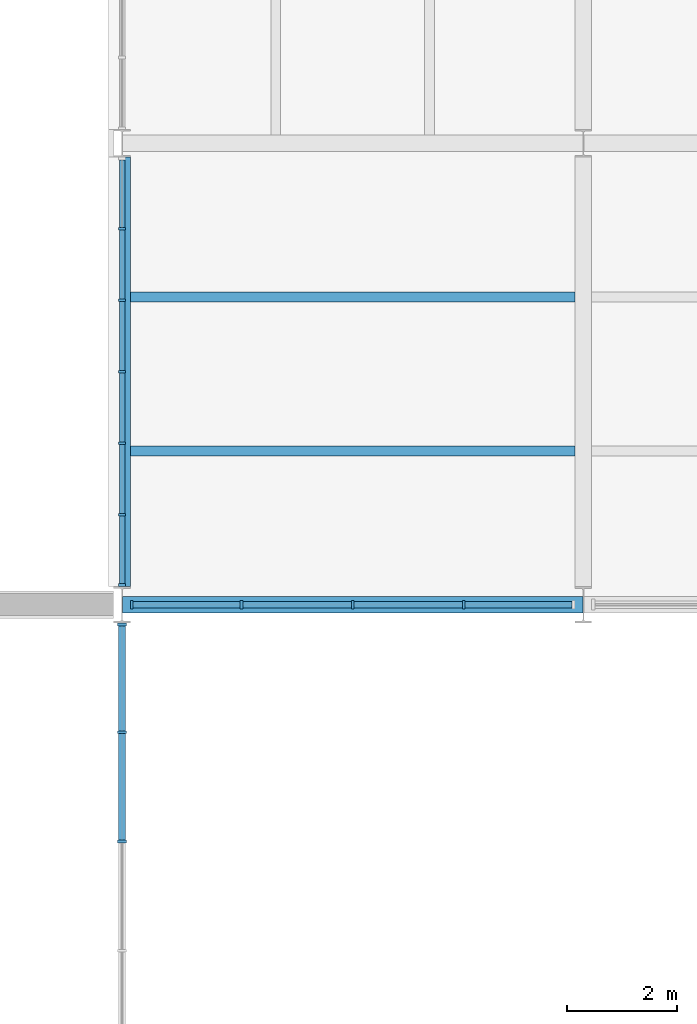
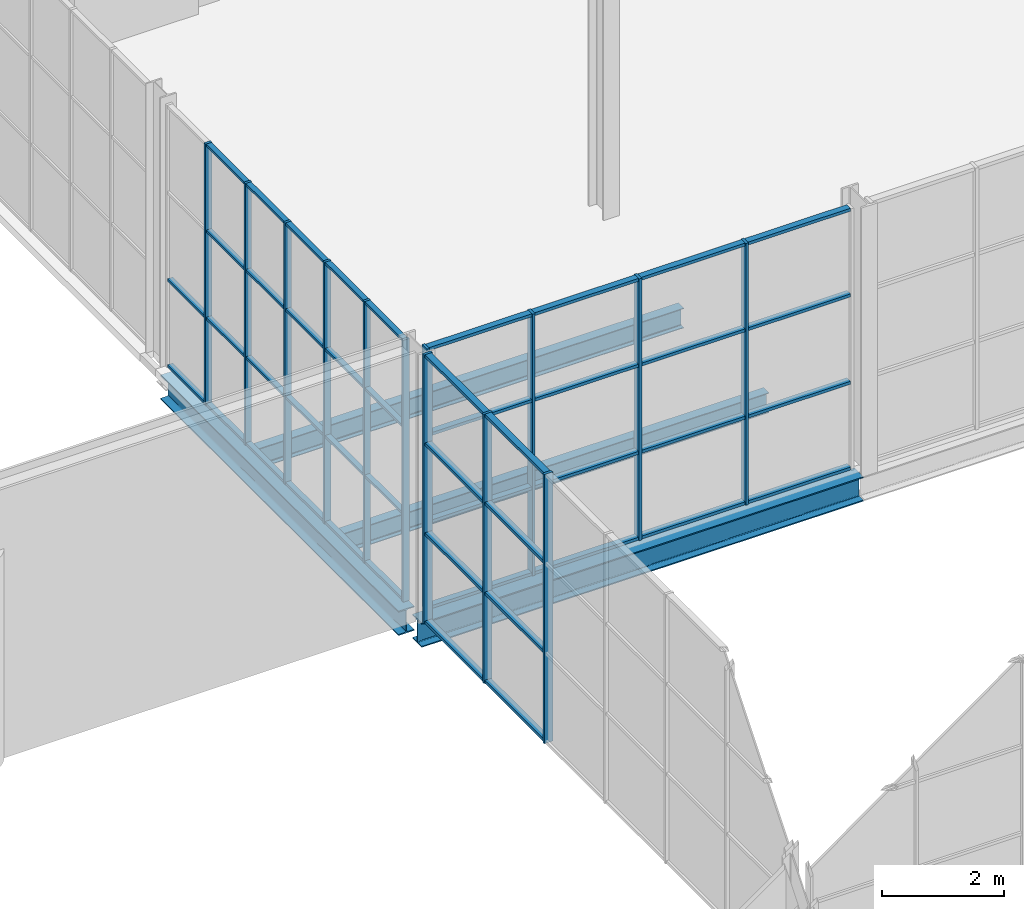
# One storey, part 17 of 64: 59 members, 4 beams, 3 elements without a shape of their own.
"""IFC4 building model written with IfcOpenShell, lengths in metres."""

from ifc_helpers import new_model, si_unit, direction, frame, origin, origin_2d, place, context, subcontext, project, spatial, rectangle, i_section, extrude, material, layer, layer_set, material_profile, profile_set, type_object, element, aggregate, save


model = new_model("IFC4")

# Units and contexts
model_context = context("Model", 3, precision=1e-05, world=origin(), true_north=direction((0.0, 1.0)))
body_context = subcontext(model_context, "Body", "Model", "MODEL_VIEW")
ifc_project = project(units=[si_unit("LENGTHUNIT", "METRE"), si_unit("AREAUNIT", "SQUARE_METRE"), si_unit("VOLUMEUNIT", "CUBIC_METRE"), si_unit("PLANEANGLEUNIT", "RADIAN"), si_unit("MASSUNIT", "GRAM", prefix="KILO")], contexts=[model_context])

# Site, building, storey
site_placement = place(None, origin())
site = spatial("IfcSite", under=ifc_project, at=site_placement, CompositionType="ELEMENT")
building_placement = place(site_placement, origin())
building = spatial("IfcBuilding", under=site, at=building_placement, Name="Galleria Vessillo Department Store", CompositionType="ELEMENT")
storey_placement = place(building_placement, frame((0.0, 0.0, 6.0)))
storey = spatial("IfcBuildingStorey", under=building, at=storey_placement, Name="L01", CompositionType="ELEMENT", Elevation=6.0)

# Curtain wall, members
ifc_material_1 = material(Name="Aluminium and glass curtain wall", Category="aluminium")
ifc_layer_1 = layer(ifc_material_1, 0.1201171875)
ifc_layer_set_1 = layer_set([ifc_layer_1], Name="Aluminium and glass curtain wall")
curtain_wall_type_1 = type_object("IfcCurtainWallType", Name="Shopfront curtain wall CW3 1400 module", PredefinedType="NOTDEFINED", material=ifc_layer_set_1)
curtain_wall_1_placement = place(storey_placement, origin())
curtain_wall_1 = element("IfcCurtainWall", 1, at=curtain_wall_1_placement, inside=storey, type_object=curtain_wall_type_1, Name="Shopfront curtain wall CW3 1400 module LB-N-L01-01", PredefinedType="NOTDEFINED")
ifc_material_2 = material(Name="Aluminium alloy 6063 T6", Category="aluminium")
ifc_material_profile_1 = material_profile(ifc_material_2, rectangle(XDim=0.1201171875, YDim=0.050048828125, at=origin_2d()), Name="AL 50x120")
ifc_profile_set_1 = profile_set([ifc_material_profile_1], Name="Aluminium alloy 6063 T6")
member_type_1 = type_object("IfcMemberType", Name="Aluminium mullion 50 x 120", PredefinedType="MULLION", material=ifc_profile_set_1)
member_1_placement = place(storey_placement, frame((8.39990234375, 38.158935546875, 0.0), z_axis=(0.0, 0.0, 1.0), x_axis=(-1.0, 0.0, 0.0)))
member_1 = element("IfcMember", 2, at=member_1_placement, type_object=member_type_1, Name="CW3 mullion 1", PredefinedType="MULLION", context=body_context, shape_type="SweptSolid", body=[
    extrude(rectangle(XDim=0.1201171875, YDim=0.050048828125, at=origin_2d()), origin(), (0.0, 0.0, 1.0), 5.25),
])
member_2_placement = place(storey_placement, frame((8.39990234375, 39.436767578125, 0.0), z_axis=(0.0, 0.0, 1.0), x_axis=(-1.0, 0.0, 0.0)))
member_2 = element("IfcMember", 3, at=member_2_placement, type_object=member_type_1, Name="CW3 mullion 2", PredefinedType="MULLION", context=body_context, shape_type="SweptSolid", body=[
    extrude(rectangle(XDim=0.1201171875, YDim=0.050048828125, at=origin_2d()), origin(), (0.0, 0.0, 1.0), 5.25),
])
member_3_placement = place(storey_placement, frame((8.39990234375, 40.7392578125, 0.0), z_axis=(0.0, 0.0, 1.0), x_axis=(-1.0, 0.0, 0.0)))
member_3 = element("IfcMember", 4, at=member_3_placement, type_object=member_type_1, Name="CW3 mullion 3", PredefinedType="MULLION", context=body_context, shape_type="SweptSolid", body=[
    extrude(rectangle(XDim=0.1201171875, YDim=0.050048828125, at=origin_2d()), origin(), (0.0, 0.0, 1.0), 5.25),
])
member_4_placement = place(storey_placement, frame((8.39990234375, 42.0419921875, 0.0), z_axis=(0.0, 0.0, 1.0), x_axis=(-1.0, 0.0, 0.0)))
member_4 = element("IfcMember", 5, at=member_4_placement, type_object=member_type_1, Name="CW3 mullion 4", PredefinedType="MULLION", context=body_context, shape_type="SweptSolid", body=[
    extrude(rectangle(XDim=0.1201171875, YDim=0.050048828125, at=origin_2d()), origin(), (0.0, 0.0, 1.0), 5.25),
])
member_5_placement = place(storey_placement, frame((8.39990234375, 43.3447265625, 0.0), z_axis=(0.0, 0.0, 1.0), x_axis=(-1.0, 0.0, 0.0)))
member_5 = element("IfcMember", 6, at=member_5_placement, type_object=member_type_1, Name="CW3 mullion 5", PredefinedType="MULLION", context=body_context, shape_type="SweptSolid", body=[
    extrude(rectangle(XDim=0.1201171875, YDim=0.050048828125, at=origin_2d()), origin(), (0.0, 0.0, 1.0), 5.25),
])
member_6_placement = place(storey_placement, frame((8.39990234375, 44.647216796875, 0.0), z_axis=(0.0, 0.0, 1.0), x_axis=(-1.0, 0.0, 0.0)))
member_6 = element("IfcMember", 7, at=member_6_placement, type_object=member_type_1, Name="CW3 mullion 6", PredefinedType="MULLION", context=body_context, shape_type="SweptSolid", body=[
    extrude(rectangle(XDim=0.1201171875, YDim=0.050048828125, at=origin_2d()), origin(), (0.0, 0.0, 1.0), 5.25),
])

ifc_material_3 = material(Name="Aluminium and glass curtain wall", Category="aluminium")
ifc_layer_2 = layer(ifc_material_3, 0.159912109375)
ifc_layer_set_2 = layer_set([ifc_layer_2], Name="Aluminium and glass curtain wall")
curtain_wall_type_2 = type_object("IfcCurtainWallType", Name="Arcade portal glazing CW2 2100 module", PredefinedType="NOTDEFINED", material=ifc_layer_set_2)
curtain_wall_2_placement = place(storey_placement, origin())
curtain_wall_2 = element("IfcCurtainWall", 8, at=curtain_wall_2_placement, inside=storey, type_object=curtain_wall_type_2, Name="Arcade portal glazing CW2 2100 module PW-W-N-L01-01", PredefinedType="NOTDEFINED")
ifc_material_4 = material(Name="Aluminium alloy 6063 T6", Category="aluminium")
ifc_material_profile_2 = material_profile(ifc_material_4, rectangle(XDim=0.159912109375, YDim=0.050048828125, at=origin_2d()), Name="AL 50x160")
ifc_profile_set_2 = profile_set([ifc_material_profile_2], Name="Aluminium alloy 6063 T6")
member_type_2 = type_object("IfcMemberType", Name="Aluminium mullion 50 x 160", PredefinedType="MULLION", material=ifc_profile_set_2)
member_7_placement = place(storey_placement, frame((8.577392578125, 37.800048828125, 0.0), z_axis=(0.0, 0.0, 1.0), x_axis=(0.0, 1.0, 0.0)))
member_7 = element("IfcMember", 9, at=member_7_placement, type_object=member_type_2, Name="CW2 mullion 1", PredefinedType="MULLION", context=body_context, shape_type="SweptSolid", body=[
    extrude(rectangle(XDim=0.159912109375, YDim=0.050048828125, at=origin_2d()), origin(), (0.0, 0.0, 1.0), 5.25),
])
member_8_placement = place(storey_placement, frame((10.576171875, 37.800048828125, 0.0), z_axis=(0.0, 0.0, 1.0), x_axis=(0.0, 1.0, 0.0)))
member_8 = element("IfcMember", 10, at=member_8_placement, type_object=member_type_2, Name="CW2 mullion 2", PredefinedType="MULLION", context=body_context, shape_type="SweptSolid", body=[
    extrude(rectangle(XDim=0.159912109375, YDim=0.050048828125, at=origin_2d()), origin(), (0.0, 0.0, 1.0), 5.25),
])
member_9_placement = place(storey_placement, frame((12.60009765625, 37.800048828125, 0.0), z_axis=(0.0, 0.0, 1.0), x_axis=(0.0, 1.0, 0.0)))
member_9 = element("IfcMember", 11, at=member_9_placement, type_object=member_type_2, Name="CW2 mullion 3", PredefinedType="MULLION", context=body_context, shape_type="SweptSolid", body=[
    extrude(rectangle(XDim=0.159912109375, YDim=0.050048828125, at=origin_2d()), origin(), (0.0, 0.0, 1.0), 5.25),
])
member_10_placement = place(storey_placement, frame((14.623779296875, 37.800048828125, 0.0), z_axis=(0.0, 0.0, 1.0), x_axis=(0.0, 1.0, 0.0)))
member_10 = element("IfcMember", 12, at=member_10_placement, type_object=member_type_2, Name="CW2 mullion 4", PredefinedType="MULLION", context=body_context, shape_type="SweptSolid", body=[
    extrude(rectangle(XDim=0.159912109375, YDim=0.050048828125, at=origin_2d()), origin(), (0.0, 0.0, 1.0), 5.25),
])

curtain_wall_3_placement = place(storey_placement, origin())
curtain_wall_3 = element("IfcCurtainWall", 13, at=curtain_wall_3_placement, inside=storey, type_object=curtain_wall_type_2, Name="Arcade portal glazing CW2 2100 module SCR-W-L01-01", PredefinedType="NOTDEFINED")
member_11_placement = place(storey_placement, frame((8.39990234375, 33.48876953125, 0.0), z_axis=(0.0, 0.0, 1.0), x_axis=(-1.0, 0.0, 0.0)))
member_11 = element("IfcMember", 14, at=member_11_placement, type_object=member_type_2, Name="CW2 mullion 5", PredefinedType="MULLION", context=body_context, shape_type="SweptSolid", body=[
    extrude(rectangle(XDim=0.159912109375, YDim=0.050048828125, at=origin_2d()), origin(), (0.0, 0.0, 1.0), 5.39990234375),
])
member_12_placement = place(storey_placement, frame((8.39990234375, 35.477294921875, 0.0), z_axis=(0.0, 0.0, 1.0), x_axis=(-1.0, 0.0, 0.0)))
member_12 = element("IfcMember", 15, at=member_12_placement, type_object=member_type_2, Name="CW2 mullion 6", PredefinedType="MULLION", context=body_context, shape_type="SweptSolid", body=[
    extrude(rectangle(XDim=0.159912109375, YDim=0.050048828125, at=origin_2d()), origin(), (0.0, 0.0, 1.0), 5.39990234375),
])
member_13_placement = place(storey_placement, frame((8.39990234375, 37.441162109375, 0.0), z_axis=(0.0, 0.0, 1.0), x_axis=(-1.0, 0.0, 0.0)))
member_13 = element("IfcMember", 16, at=member_13_placement, type_object=member_type_2, Name="CW2 mullion 7", PredefinedType="MULLION", context=body_context, shape_type="SweptSolid", body=[
    extrude(rectangle(XDim=0.159912109375, YDim=0.050048828125, at=origin_2d()), origin(), (0.0, 0.0, 1.0), 5.39990234375),
])

# Member
ifc_material_5 = material(Name="Aluminium alloy 6063 T6", Category="aluminium")
ifc_material_profile_3 = material_profile(ifc_material_5, rectangle(XDim=0.10009765625, YDim=0.050048828125, at=origin_2d()), Name="AL 50x100")
ifc_profile_set_3 = profile_set([ifc_material_profile_3], Name="Aluminium alloy 6063 T6")
member_type_3 = type_object("IfcMemberType", Name="Aluminium transom 50 x 100", PredefinedType="USERDEFINED", material=ifc_profile_set_3)
member_14_placement = place(storey_placement, frame((8.39990234375, 38.18408203125, 0.02490234375), z_axis=(0.0, 1.0, 0.0), x_axis=(-1.0, 0.0, 0.0)))
member_14 = element("IfcMember", 17, at=member_14_placement, type_object=member_type_3, Name="CW3 transom 1.1", ObjectType="TRANSOM", PredefinedType="USERDEFINED", context=body_context, shape_type="SweptSolid", body=[
    extrude(rectangle(XDim=0.10009765625, YDim=0.050048828125, at=origin_2d()), origin(), (0.0, 0.0, 1.0), 1.2275390625),
])

member_15_placement = place(storey_placement, frame((8.39990234375, 38.18408203125, 1.75), z_axis=(0.0, 1.0, 0.0), x_axis=(-1.0, 0.0, 0.0)))
member_15 = element("IfcMember", 18, at=member_15_placement, type_object=member_type_3, Name="CW3 transom 1.2", ObjectType="TRANSOM", PredefinedType="USERDEFINED", context=body_context, shape_type="SweptSolid", body=[
    extrude(rectangle(XDim=0.10009765625, YDim=0.050048828125, at=origin_2d()), origin(), (0.0, 0.0, 1.0), 1.2275390625),
])

member_16_placement = place(storey_placement, frame((8.39990234375, 38.18408203125, 3.5), z_axis=(0.0, 1.0, 0.0), x_axis=(-1.0, 0.0, 0.0)))
member_16 = element("IfcMember", 19, at=member_16_placement, type_object=member_type_3, Name="CW3 transom 1.3", ObjectType="TRANSOM", PredefinedType="USERDEFINED", context=body_context, shape_type="SweptSolid", body=[
    extrude(rectangle(XDim=0.10009765625, YDim=0.050048828125, at=origin_2d()), origin(), (0.0, 0.0, 1.0), 1.2275390625),
])

member_17_placement = place(storey_placement, frame((8.39990234375, 38.18408203125, 5.22509765625), z_axis=(0.0, 1.0, 0.0), x_axis=(-1.0, 0.0, 0.0)))
member_17 = element("IfcMember", 20, at=member_17_placement, type_object=member_type_3, Name="CW3 transom 1.4", ObjectType="TRANSOM", PredefinedType="USERDEFINED", context=body_context, shape_type="SweptSolid", body=[
    extrude(rectangle(XDim=0.10009765625, YDim=0.050048828125, at=origin_2d()), origin(), (0.0, 0.0, 1.0), 1.2275390625),
])

member_18_placement = place(storey_placement, frame((8.39990234375, 39.461669921875, 0.02490234375), z_axis=(0.0, 1.0, 0.0), x_axis=(-1.0, 0.0, 0.0)))
member_18 = element("IfcMember", 21, at=member_18_placement, type_object=member_type_3, Name="CW3 transom 2.1", ObjectType="TRANSOM", PredefinedType="USERDEFINED", context=body_context, shape_type="SweptSolid", body=[
    extrude(rectangle(XDim=0.10009765625, YDim=0.050048828125, at=origin_2d()), origin(), (0.0, 0.0, 1.0), 1.252685546875),
])

member_19_placement = place(storey_placement, frame((8.39990234375, 39.461669921875, 1.75), z_axis=(0.0, 1.0, 0.0), x_axis=(-1.0, 0.0, 0.0)))
member_19 = element("IfcMember", 22, at=member_19_placement, type_object=member_type_3, Name="CW3 transom 2.2", ObjectType="TRANSOM", PredefinedType="USERDEFINED", context=body_context, shape_type="SweptSolid", body=[
    extrude(rectangle(XDim=0.10009765625, YDim=0.050048828125, at=origin_2d()), origin(), (0.0, 0.0, 1.0), 1.252685546875),
])

member_20_placement = place(storey_placement, frame((8.39990234375, 39.461669921875, 3.5), z_axis=(0.0, 1.0, 0.0), x_axis=(-1.0, 0.0, 0.0)))
member_20 = element("IfcMember", 23, at=member_20_placement, type_object=member_type_3, Name="CW3 transom 2.3", ObjectType="TRANSOM", PredefinedType="USERDEFINED", context=body_context, shape_type="SweptSolid", body=[
    extrude(rectangle(XDim=0.10009765625, YDim=0.050048828125, at=origin_2d()), origin(), (0.0, 0.0, 1.0), 1.252685546875),
])

member_21_placement = place(storey_placement, frame((8.39990234375, 39.461669921875, 5.22509765625), z_axis=(0.0, 1.0, 0.0), x_axis=(-1.0, 0.0, 0.0)))
member_21 = element("IfcMember", 24, at=member_21_placement, type_object=member_type_3, Name="CW3 transom 2.4", ObjectType="TRANSOM", PredefinedType="USERDEFINED", context=body_context, shape_type="SweptSolid", body=[
    extrude(rectangle(XDim=0.10009765625, YDim=0.050048828125, at=origin_2d()), origin(), (0.0, 0.0, 1.0), 1.252685546875),
])

member_22_placement = place(storey_placement, frame((8.39990234375, 40.764404296875, 0.02490234375), z_axis=(0.0, 1.0, 0.0), x_axis=(-1.0, 0.0, 0.0)))
member_22 = element("IfcMember", 25, at=member_22_placement, type_object=member_type_3, Name="CW3 transom 3.1", ObjectType="TRANSOM", PredefinedType="USERDEFINED", context=body_context, shape_type="SweptSolid", body=[
    extrude(rectangle(XDim=0.10009765625, YDim=0.050048828125, at=origin_2d()), origin(), (0.0, 0.0, 1.0), 1.252685546875),
])

member_23_placement = place(storey_placement, frame((8.39990234375, 40.764404296875, 1.75), z_axis=(0.0, 1.0, 0.0), x_axis=(-1.0, 0.0, 0.0)))
member_23 = element("IfcMember", 26, at=member_23_placement, type_object=member_type_3, Name="CW3 transom 3.2", ObjectType="TRANSOM", PredefinedType="USERDEFINED", context=body_context, shape_type="SweptSolid", body=[
    extrude(rectangle(XDim=0.10009765625, YDim=0.050048828125, at=origin_2d()), origin(), (0.0, 0.0, 1.0), 1.252685546875),
])

member_24_placement = place(storey_placement, frame((8.39990234375, 40.764404296875, 3.5), z_axis=(0.0, 1.0, 0.0), x_axis=(-1.0, 0.0, 0.0)))
member_24 = element("IfcMember", 27, at=member_24_placement, type_object=member_type_3, Name="CW3 transom 3.3", ObjectType="TRANSOM", PredefinedType="USERDEFINED", context=body_context, shape_type="SweptSolid", body=[
    extrude(rectangle(XDim=0.10009765625, YDim=0.050048828125, at=origin_2d()), origin(), (0.0, 0.0, 1.0), 1.252685546875),
])

member_25_placement = place(storey_placement, frame((8.39990234375, 40.764404296875, 5.22509765625), z_axis=(0.0, 1.0, 0.0), x_axis=(-1.0, 0.0, 0.0)))
member_25 = element("IfcMember", 28, at=member_25_placement, type_object=member_type_3, Name="CW3 transom 3.4", ObjectType="TRANSOM", PredefinedType="USERDEFINED", context=body_context, shape_type="SweptSolid", body=[
    extrude(rectangle(XDim=0.10009765625, YDim=0.050048828125, at=origin_2d()), origin(), (0.0, 0.0, 1.0), 1.252685546875),
])

member_26_placement = place(storey_placement, frame((8.39990234375, 42.06689453125, 0.02490234375), z_axis=(0.0, 1.0, 0.0), x_axis=(-1.0, 0.0, 0.0)))
member_26 = element("IfcMember", 29, at=member_26_placement, type_object=member_type_3, Name="CW3 transom 4.1", ObjectType="TRANSOM", PredefinedType="USERDEFINED", context=body_context, shape_type="SweptSolid", body=[
    extrude(rectangle(XDim=0.10009765625, YDim=0.050048828125, at=origin_2d()), origin(), (0.0, 0.0, 1.0), 1.252685546875),
])

member_27_placement = place(storey_placement, frame((8.39990234375, 42.06689453125, 1.75), z_axis=(0.0, 1.0, 0.0), x_axis=(-1.0, 0.0, 0.0)))
member_27 = element("IfcMember", 30, at=member_27_placement, type_object=member_type_3, Name="CW3 transom 4.2", ObjectType="TRANSOM", PredefinedType="USERDEFINED", context=body_context, shape_type="SweptSolid", body=[
    extrude(rectangle(XDim=0.10009765625, YDim=0.050048828125, at=origin_2d()), origin(), (0.0, 0.0, 1.0), 1.252685546875),
])

member_28_placement = place(storey_placement, frame((8.39990234375, 42.06689453125, 3.5), z_axis=(0.0, 1.0, 0.0), x_axis=(-1.0, 0.0, 0.0)))
member_28 = element("IfcMember", 31, at=member_28_placement, type_object=member_type_3, Name="CW3 transom 4.3", ObjectType="TRANSOM", PredefinedType="USERDEFINED", context=body_context, shape_type="SweptSolid", body=[
    extrude(rectangle(XDim=0.10009765625, YDim=0.050048828125, at=origin_2d()), origin(), (0.0, 0.0, 1.0), 1.252685546875),
])

member_29_placement = place(storey_placement, frame((8.39990234375, 42.06689453125, 5.22509765625), z_axis=(0.0, 1.0, 0.0), x_axis=(-1.0, 0.0, 0.0)))
member_29 = element("IfcMember", 32, at=member_29_placement, type_object=member_type_3, Name="CW3 transom 4.4", ObjectType="TRANSOM", PredefinedType="USERDEFINED", context=body_context, shape_type="SweptSolid", body=[
    extrude(rectangle(XDim=0.10009765625, YDim=0.050048828125, at=origin_2d()), origin(), (0.0, 0.0, 1.0), 1.252685546875),
])

member_30_placement = place(storey_placement, frame((8.39990234375, 43.36962890625, 0.02490234375), z_axis=(0.0, 1.0, 0.0), x_axis=(-1.0, 0.0, 0.0)))
member_30 = element("IfcMember", 33, at=member_30_placement, type_object=member_type_3, Name="CW3 transom 5.1", ObjectType="TRANSOM", PredefinedType="USERDEFINED", context=body_context, shape_type="SweptSolid", body=[
    extrude(rectangle(XDim=0.10009765625, YDim=0.050048828125, at=origin_2d()), origin(), (0.0, 0.0, 1.0), 1.252685546875),
])

member_31_placement = place(storey_placement, frame((8.39990234375, 43.36962890625, 1.75), z_axis=(0.0, 1.0, 0.0), x_axis=(-1.0, 0.0, 0.0)))
member_31 = element("IfcMember", 34, at=member_31_placement, type_object=member_type_3, Name="CW3 transom 5.2", ObjectType="TRANSOM", PredefinedType="USERDEFINED", context=body_context, shape_type="SweptSolid", body=[
    extrude(rectangle(XDim=0.10009765625, YDim=0.050048828125, at=origin_2d()), origin(), (0.0, 0.0, 1.0), 1.252685546875),
])

member_32_placement = place(storey_placement, frame((8.39990234375, 43.36962890625, 3.5), z_axis=(0.0, 1.0, 0.0), x_axis=(-1.0, 0.0, 0.0)))
member_32 = element("IfcMember", 35, at=member_32_placement, type_object=member_type_3, Name="CW3 transom 5.3", ObjectType="TRANSOM", PredefinedType="USERDEFINED", context=body_context, shape_type="SweptSolid", body=[
    extrude(rectangle(XDim=0.10009765625, YDim=0.050048828125, at=origin_2d()), origin(), (0.0, 0.0, 1.0), 1.252685546875),
])

member_33_placement = place(storey_placement, frame((8.39990234375, 43.36962890625, 5.22509765625), z_axis=(0.0, 1.0, 0.0), x_axis=(-1.0, 0.0, 0.0)))
member_33 = element("IfcMember", 36, at=member_33_placement, type_object=member_type_3, Name="CW3 transom 5.4", ObjectType="TRANSOM", PredefinedType="USERDEFINED", context=body_context, shape_type="SweptSolid", body=[
    extrude(rectangle(XDim=0.10009765625, YDim=0.050048828125, at=origin_2d()), origin(), (0.0, 0.0, 1.0), 1.252685546875),
])

member_34_placement = place(storey_placement, frame((8.39990234375, 44.67236328125, 0.02490234375), z_axis=(0.0, 1.0, 0.0), x_axis=(-1.0, 0.0, 0.0)))
member_34 = element("IfcMember", 37, at=member_34_placement, type_object=member_type_3, Name="CW3 transom 6.1", ObjectType="TRANSOM", PredefinedType="USERDEFINED", context=body_context, shape_type="SweptSolid", body=[
    extrude(rectangle(XDim=0.10009765625, YDim=0.050048828125, at=origin_2d()), origin(), (0.0, 0.0, 1.0), 1.2275390625),
])

member_35_placement = place(storey_placement, frame((8.39990234375, 44.67236328125, 1.75), z_axis=(0.0, 1.0, 0.0), x_axis=(-1.0, 0.0, 0.0)))
member_35 = element("IfcMember", 38, at=member_35_placement, type_object=member_type_3, Name="CW3 transom 6.2", ObjectType="TRANSOM", PredefinedType="USERDEFINED", context=body_context, shape_type="SweptSolid", body=[
    extrude(rectangle(XDim=0.10009765625, YDim=0.050048828125, at=origin_2d()), origin(), (0.0, 0.0, 1.0), 1.2275390625),
])

aggregate(curtain_wall_1, [member_1, member_2, member_3, member_4, member_5, member_6, member_14, member_15, member_16, member_17, member_18, member_19, member_20, member_21, member_22, member_23, member_24, member_25, member_26, member_27, member_28, member_29, member_30, member_31, member_32, member_33, member_34, member_35])

ifc_material_6 = material(Name="Aluminium alloy 6063 T6", Category="aluminium")
ifc_material_profile_4 = material_profile(ifc_material_6, rectangle(XDim=0.1201171875, YDim=0.06005859375, at=origin_2d()), Name="AL 60x120")
ifc_profile_set_4 = profile_set([ifc_material_profile_4], Name="Aluminium alloy 6063 T6")
member_type_4 = type_object("IfcMemberType", Name="Aluminium transom 60 x 120", PredefinedType="USERDEFINED", material=ifc_profile_set_4)
member_36_placement = place(storey_placement, frame((8.6025390625, 37.800048828125, 0.030029296875), z_axis=(1.0, 0.0, 0.0), x_axis=(0.0, 1.0, 0.0)))
member_36 = element("IfcMember", 39, at=member_36_placement, type_object=member_type_4, Name="CW2 transom 1.1", ObjectType="TRANSOM", PredefinedType="USERDEFINED", context=body_context, shape_type="SweptSolid", body=[
    extrude(rectangle(XDim=0.1201171875, YDim=0.06005859375, at=origin_2d()), origin(), (0.0, 0.0, 1.0), 1.94873046875),
])

member_37_placement = place(storey_placement, frame((8.6025390625, 37.800048828125, 1.75), z_axis=(1.0, 0.0, 0.0), x_axis=(0.0, 1.0, 0.0)))
member_37 = element("IfcMember", 40, at=member_37_placement, type_object=member_type_4, Name="CW2 transom 1.2", ObjectType="TRANSOM", PredefinedType="USERDEFINED", context=body_context, shape_type="SweptSolid", body=[
    extrude(rectangle(XDim=0.1201171875, YDim=0.06005859375, at=origin_2d()), origin(), (0.0, 0.0, 1.0), 1.94873046875),
])

member_38_placement = place(storey_placement, frame((8.6025390625, 37.800048828125, 3.5), z_axis=(1.0, 0.0, 0.0), x_axis=(0.0, 1.0, 0.0)))
member_38 = element("IfcMember", 41, at=member_38_placement, type_object=member_type_4, Name="CW2 transom 1.3", ObjectType="TRANSOM", PredefinedType="USERDEFINED", context=body_context, shape_type="SweptSolid", body=[
    extrude(rectangle(XDim=0.1201171875, YDim=0.06005859375, at=origin_2d()), origin(), (0.0, 0.0, 1.0), 1.94873046875),
])

member_39_placement = place(storey_placement, frame((8.6025390625, 37.800048828125, 5.219970703125), z_axis=(1.0, 0.0, 0.0), x_axis=(0.0, 1.0, 0.0)))
member_39 = element("IfcMember", 42, at=member_39_placement, type_object=member_type_4, Name="CW2 transom 1.4", ObjectType="TRANSOM", PredefinedType="USERDEFINED", context=body_context, shape_type="SweptSolid", body=[
    extrude(rectangle(XDim=0.1201171875, YDim=0.06005859375, at=origin_2d()), origin(), (0.0, 0.0, 1.0), 1.94873046875),
])

member_40_placement = place(storey_placement, frame((10.601318359375, 37.800048828125, 0.030029296875), z_axis=(1.0, 0.0, 0.0), x_axis=(0.0, 1.0, 0.0)))
member_40 = element("IfcMember", 43, at=member_40_placement, type_object=member_type_4, Name="CW2 transom 2.1", ObjectType="TRANSOM", PredefinedType="USERDEFINED", context=body_context, shape_type="SweptSolid", body=[
    extrude(rectangle(XDim=0.1201171875, YDim=0.06005859375, at=origin_2d()), origin(), (0.0, 0.0, 1.0), 1.9736328125),
])

member_41_placement = place(storey_placement, frame((10.601318359375, 37.800048828125, 1.75), z_axis=(1.0, 0.0, 0.0), x_axis=(0.0, 1.0, 0.0)))
member_41 = element("IfcMember", 44, at=member_41_placement, type_object=member_type_4, Name="CW2 transom 2.2", ObjectType="TRANSOM", PredefinedType="USERDEFINED", context=body_context, shape_type="SweptSolid", body=[
    extrude(rectangle(XDim=0.1201171875, YDim=0.06005859375, at=origin_2d()), origin(), (0.0, 0.0, 1.0), 1.9736328125),
])

member_42_placement = place(storey_placement, frame((10.601318359375, 37.800048828125, 3.5), z_axis=(1.0, 0.0, 0.0), x_axis=(0.0, 1.0, 0.0)))
member_42 = element("IfcMember", 45, at=member_42_placement, type_object=member_type_4, Name="CW2 transom 2.3", ObjectType="TRANSOM", PredefinedType="USERDEFINED", context=body_context, shape_type="SweptSolid", body=[
    extrude(rectangle(XDim=0.1201171875, YDim=0.06005859375, at=origin_2d()), origin(), (0.0, 0.0, 1.0), 1.9736328125),
])

member_43_placement = place(storey_placement, frame((10.601318359375, 37.800048828125, 5.219970703125), z_axis=(1.0, 0.0, 0.0), x_axis=(0.0, 1.0, 0.0)))
member_43 = element("IfcMember", 46, at=member_43_placement, type_object=member_type_4, Name="CW2 transom 2.4", ObjectType="TRANSOM", PredefinedType="USERDEFINED", context=body_context, shape_type="SweptSolid", body=[
    extrude(rectangle(XDim=0.1201171875, YDim=0.06005859375, at=origin_2d()), origin(), (0.0, 0.0, 1.0), 1.9736328125),
])

member_44_placement = place(storey_placement, frame((12.625, 37.800048828125, 0.030029296875), z_axis=(1.0, 0.0, 0.0), x_axis=(0.0, 1.0, 0.0)))
member_44 = element("IfcMember", 47, at=member_44_placement, type_object=member_type_4, Name="CW2 transom 3.1", ObjectType="TRANSOM", PredefinedType="USERDEFINED", context=body_context, shape_type="SweptSolid", body=[
    extrude(rectangle(XDim=0.1201171875, YDim=0.06005859375, at=origin_2d()), origin(), (0.0, 0.0, 1.0), 1.9736328125),
])

member_45_placement = place(storey_placement, frame((12.625, 37.800048828125, 1.75), z_axis=(1.0, 0.0, 0.0), x_axis=(0.0, 1.0, 0.0)))
member_45 = element("IfcMember", 48, at=member_45_placement, type_object=member_type_4, Name="CW2 transom 3.2", ObjectType="TRANSOM", PredefinedType="USERDEFINED", context=body_context, shape_type="SweptSolid", body=[
    extrude(rectangle(XDim=0.1201171875, YDim=0.06005859375, at=origin_2d()), origin(), (0.0, 0.0, 1.0), 1.9736328125),
])

member_46_placement = place(storey_placement, frame((12.625, 37.800048828125, 3.5), z_axis=(1.0, 0.0, 0.0), x_axis=(0.0, 1.0, 0.0)))
member_46 = element("IfcMember", 49, at=member_46_placement, type_object=member_type_4, Name="CW2 transom 3.3", ObjectType="TRANSOM", PredefinedType="USERDEFINED", context=body_context, shape_type="SweptSolid", body=[
    extrude(rectangle(XDim=0.1201171875, YDim=0.06005859375, at=origin_2d()), origin(), (0.0, 0.0, 1.0), 1.9736328125),
])

member_47_placement = place(storey_placement, frame((12.625, 37.800048828125, 5.219970703125), z_axis=(1.0, 0.0, 0.0), x_axis=(0.0, 1.0, 0.0)))
member_47 = element("IfcMember", 50, at=member_47_placement, type_object=member_type_4, Name="CW2 transom 3.4", ObjectType="TRANSOM", PredefinedType="USERDEFINED", context=body_context, shape_type="SweptSolid", body=[
    extrude(rectangle(XDim=0.1201171875, YDim=0.06005859375, at=origin_2d()), origin(), (0.0, 0.0, 1.0), 1.9736328125),
])

member_48_placement = place(storey_placement, frame((14.648681640625, 37.800048828125, 0.030029296875), z_axis=(1.0, 0.0, 0.0), x_axis=(0.0, 1.0, 0.0)))
member_48 = element("IfcMember", 51, at=member_48_placement, type_object=member_type_4, Name="CW2 transom 4.1", ObjectType="TRANSOM", PredefinedType="USERDEFINED", context=body_context, shape_type="SweptSolid", body=[
    extrude(rectangle(XDim=0.1201171875, YDim=0.06005859375, at=origin_2d()), origin(), (0.0, 0.0, 1.0), 1.94873046875),
])

member_49_placement = place(storey_placement, frame((14.648681640625, 37.800048828125, 1.75), z_axis=(1.0, 0.0, 0.0), x_axis=(0.0, 1.0, 0.0)))
member_49 = element("IfcMember", 52, at=member_49_placement, type_object=member_type_4, Name="CW2 transom 4.2", ObjectType="TRANSOM", PredefinedType="USERDEFINED", context=body_context, shape_type="SweptSolid", body=[
    extrude(rectangle(XDim=0.1201171875, YDim=0.06005859375, at=origin_2d()), origin(), (0.0, 0.0, 1.0), 1.94873046875),
])

member_50_placement = place(storey_placement, frame((14.648681640625, 37.800048828125, 3.5), z_axis=(1.0, 0.0, 0.0), x_axis=(0.0, 1.0, 0.0)))
member_50 = element("IfcMember", 53, at=member_50_placement, type_object=member_type_4, Name="CW2 transom 4.3", ObjectType="TRANSOM", PredefinedType="USERDEFINED", context=body_context, shape_type="SweptSolid", body=[
    extrude(rectangle(XDim=0.1201171875, YDim=0.06005859375, at=origin_2d()), origin(), (0.0, 0.0, 1.0), 1.94873046875),
])

member_51_placement = place(storey_placement, frame((14.648681640625, 37.800048828125, 5.219970703125), z_axis=(1.0, 0.0, 0.0), x_axis=(0.0, 1.0, 0.0)))
member_51 = element("IfcMember", 54, at=member_51_placement, type_object=member_type_4, Name="CW2 transom 4.4", ObjectType="TRANSOM", PredefinedType="USERDEFINED", context=body_context, shape_type="SweptSolid", body=[
    extrude(rectangle(XDim=0.1201171875, YDim=0.06005859375, at=origin_2d()), origin(), (0.0, 0.0, 1.0), 1.94873046875),
])

aggregate(curtain_wall_2, [member_7, member_8, member_9, member_10, member_36, member_37, member_38, member_39, member_40, member_41, member_42, member_43, member_44, member_45, member_46, member_47, member_48, member_49, member_50, member_51])

member_52_placement = place(storey_placement, frame((8.39990234375, 33.513671875, 0.030029296875), z_axis=(0.0, 1.0, 0.0), x_axis=(-1.0, 0.0, 0.0)))
member_52 = element("IfcMember", 55, at=member_52_placement, type_object=member_type_4, Name="CW2 transom 5.1", ObjectType="TRANSOM", PredefinedType="USERDEFINED", context=body_context, shape_type="SweptSolid", body=[
    extrude(rectangle(XDim=0.1201171875, YDim=0.06005859375, at=origin_2d()), origin(), (0.0, 0.0, 1.0), 1.938720703125),
])

member_53_placement = place(storey_placement, frame((8.39990234375, 33.513671875, 1.800048828125), z_axis=(0.0, 1.0, 0.0), x_axis=(-1.0, 0.0, 0.0)))
member_53 = element("IfcMember", 56, at=member_53_placement, type_object=member_type_4, Name="CW2 transom 5.2", ObjectType="TRANSOM", PredefinedType="USERDEFINED", context=body_context, shape_type="SweptSolid", body=[
    extrude(rectangle(XDim=0.1201171875, YDim=0.06005859375, at=origin_2d()), origin(), (0.0, 0.0, 1.0), 1.938720703125),
])

member_54_placement = place(storey_placement, frame((8.39990234375, 33.513671875, 3.599853515625), z_axis=(0.0, 1.0, 0.0), x_axis=(-1.0, 0.0, 0.0)))
member_54 = element("IfcMember", 57, at=member_54_placement, type_object=member_type_4, Name="CW2 transom 5.3", ObjectType="TRANSOM", PredefinedType="USERDEFINED", context=body_context, shape_type="SweptSolid", body=[
    extrude(rectangle(XDim=0.1201171875, YDim=0.06005859375, at=origin_2d()), origin(), (0.0, 0.0, 1.0), 1.938720703125),
])

member_55_placement = place(storey_placement, frame((8.39990234375, 33.513671875, 5.369873046875), z_axis=(0.0, 1.0, 0.0), x_axis=(-1.0, 0.0, 0.0)))
member_55 = element("IfcMember", 58, at=member_55_placement, type_object=member_type_4, Name="CW2 transom 5.4", ObjectType="TRANSOM", PredefinedType="USERDEFINED", context=body_context, shape_type="SweptSolid", body=[
    extrude(rectangle(XDim=0.1201171875, YDim=0.06005859375, at=origin_2d()), origin(), (0.0, 0.0, 1.0), 1.938720703125),
])

member_56_placement = place(storey_placement, frame((8.39990234375, 35.50244140625, 0.030029296875), z_axis=(0.0, 1.0, 0.0), x_axis=(-1.0, 0.0, 0.0)))
member_56 = element("IfcMember", 59, at=member_56_placement, type_object=member_type_4, Name="CW2 transom 6.1", ObjectType="TRANSOM", PredefinedType="USERDEFINED", context=body_context, shape_type="SweptSolid", body=[
    extrude(rectangle(XDim=0.1201171875, YDim=0.06005859375, at=origin_2d()), origin(), (0.0, 0.0, 1.0), 1.91357421875),
])

member_57_placement = place(storey_placement, frame((8.39990234375, 35.50244140625, 1.800048828125), z_axis=(0.0, 1.0, 0.0), x_axis=(-1.0, 0.0, 0.0)))
member_57 = element("IfcMember", 60, at=member_57_placement, type_object=member_type_4, Name="CW2 transom 6.2", ObjectType="TRANSOM", PredefinedType="USERDEFINED", context=body_context, shape_type="SweptSolid", body=[
    extrude(rectangle(XDim=0.1201171875, YDim=0.06005859375, at=origin_2d()), origin(), (0.0, 0.0, 1.0), 1.91357421875),
])

member_58_placement = place(storey_placement, frame((8.39990234375, 35.50244140625, 3.599853515625), z_axis=(0.0, 1.0, 0.0), x_axis=(-1.0, 0.0, 0.0)))
member_58 = element("IfcMember", 61, at=member_58_placement, type_object=member_type_4, Name="CW2 transom 6.3", ObjectType="TRANSOM", PredefinedType="USERDEFINED", context=body_context, shape_type="SweptSolid", body=[
    extrude(rectangle(XDim=0.1201171875, YDim=0.06005859375, at=origin_2d()), origin(), (0.0, 0.0, 1.0), 1.91357421875),
])

member_59_placement = place(storey_placement, frame((8.39990234375, 35.50244140625, 5.369873046875), z_axis=(0.0, 1.0, 0.0), x_axis=(-1.0, 0.0, 0.0)))
member_59 = element("IfcMember", 62, at=member_59_placement, type_object=member_type_4, Name="CW2 transom 6.4", ObjectType="TRANSOM", PredefinedType="USERDEFINED", context=body_context, shape_type="SweptSolid", body=[
    extrude(rectangle(XDim=0.1201171875, YDim=0.06005859375, at=origin_2d()), origin(), (0.0, 0.0, 1.0), 1.91357421875),
])

aggregate(curtain_wall_3, [member_11, member_12, member_13, member_52, member_53, member_54, member_55, member_56, member_57, member_58, member_59])

# Beams
ifc_material_7 = material(Name="Steel S355 J2", Category="steel")
ifc_material_profile_5 = material_profile(ifc_material_7, i_section(OverallWidth=0.179931640625, OverallDepth=0.39990234375, WebThickness=0.008544921875, FlangeThickness=0.013427734375, FilletRadius=0.02099609375, at=origin_2d()), Name="IPE 400")
ifc_profile_set_5 = profile_set([ifc_material_profile_5], Name="Steel S355 J2")
beam_type_1 = type_object("IfcBeamType", Name="Floor joist IPE 400", PredefinedType="JOIST", material=ifc_profile_set_5)
for number, where, z_axis, x_axis, name in (
    (63, (8.550048828125, 40.60009765625, -0.349853515625), (1.0, 0.0, 0.0), (0.0, 1.0, 0.0), "S-BM-L01-JO-x40600-8550"),
    (64, (8.550048828125, 43.39990234375, -0.349853515625), (1.0, 0.0, 0.0), (0.0, 1.0, 0.0), "S-BM-L01-JO-x43400-8550"),
):
    element("IfcBeam", number, at=place(storey_placement, frame(where, z_axis=z_axis, x_axis=x_axis)), inside=storey, type_object=beam_type_1, Name=name, PredefinedType="JOIST", context=body_context, shape_type="SweptSolid", body=[
        extrude(i_section(OverallWidth=0.179931640625, OverallDepth=0.39990234375, WebThickness=0.008544921875, FlangeThickness=0.013427734375, FilletRadius=0.02099609375, at=origin_2d()), origin(), (0.0, 0.0, 1.0), 8.099853515625),
    ])
ifc_material_8 = material(Name="Steel S355 J2", Category="steel")
ifc_material_profile_6 = material_profile(ifc_material_8, i_section(OverallWidth=0.300048828125, OverallDepth=0.489990234375, WebThickness=0.011962890625, FlangeThickness=0.02294921875, FilletRadius=0.027099609375, at=origin_2d()), Name="HEA 500")
ifc_profile_set_6 = profile_set([ifc_material_profile_6], Name="Steel S355 J2")
beam_type_2 = type_object("IfcBeamType", Name="Trimmer beam HEA 500", PredefinedType="BEAM", material=ifc_profile_set_6)
beam_1_placement = place(storey_placement, frame((8.41064453125, 37.800048828125, -0.39501953125), z_axis=(1.0, 0.0, 0.0), x_axis=(0.0, 1.0, 0.0)))
element("IfcBeam", 65, at=beam_1_placement, inside=storey, type_object=beam_type_2, Name="S-BM-L01-TR-x37800-8411", PredefinedType="BEAM", context=body_context, shape_type="SweptSolid", body=[
    extrude(i_section(OverallWidth=0.300048828125, OverallDepth=0.489990234375, WebThickness=0.011962890625, FlangeThickness=0.02294921875, FilletRadius=0.027099609375, at=origin_2d()), origin(), (0.0, 0.0, 1.0), 8.378662109375),
])
beam_2_placement = place(storey_placement, frame((8.39990234375, 38.134033203125, -0.39501953125), z_axis=(0.0, 1.0, 0.0), x_axis=(-1.0, 0.0, 0.0)))
element("IfcBeam", 66, at=beam_2_placement, inside=storey, type_object=beam_type_2, Name="S-BM-L01-TR-y8400-38134", PredefinedType="BEAM", context=body_context, shape_type="SweptSolid", body=[
    extrude(i_section(OverallWidth=0.300048828125, OverallDepth=0.489990234375, WebThickness=0.011962890625, FlangeThickness=0.02294921875, FilletRadius=0.027099609375, at=origin_2d()), origin(), (0.0, 0.0, 1.0), 7.81591796875),
])

save(model, "model.ifc")
